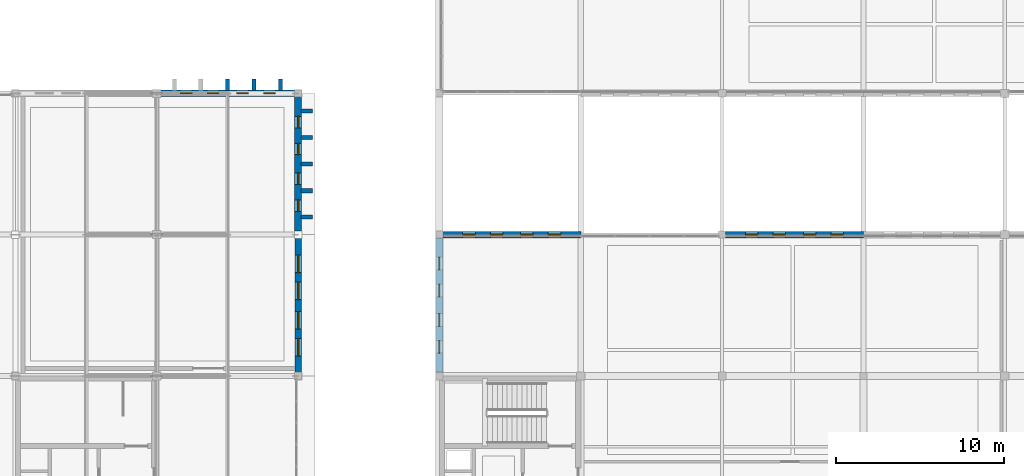
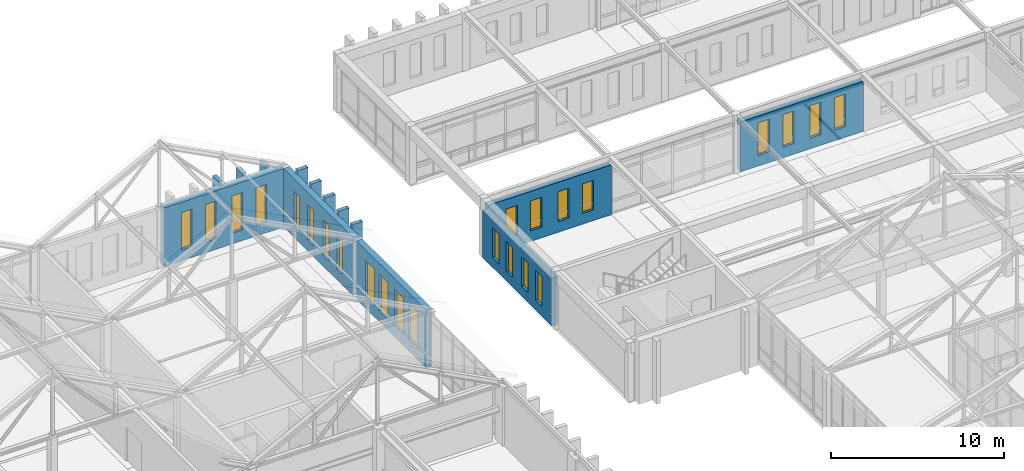
# One storey, part 167 of 192: 24 windows, 14 walls, 24 openings.
"""IFC4 building model written with IfcOpenShell, lengths in metres."""

import ifcopenshell
import ifcopenshell.guid

model = None  # the IFC model being written
_history = None  # IfcOwnerHistory: only IFC2X3 demands one
_inside = {}  # id of a spatial element -> (the spatial element, [elements in it])
_under = {}  # id of a project, library or spatial element -> (it, [spatial elements below it])
_declared = {}  # id of a project -> (the project, [libraries it declares])
_typed = {}  # id of a type object -> (the type object, [elements of that type])
_made_of = {}  # id of a material, layer set ... -> (it, [elements and type objects made of it])


def new_model(schema):
    """Start an empty IFC model of exactly this schema.

    Asked for "IFC4X3", IfcOpenShell would pick the latest addendum, in which some entities
    have other attributes; the version numbers below select the first issue.
    IFC2X3 requires an IfcOwnerHistory on every rooted entity: one is made here for all.
    """
    global model, _history
    if schema == "IFC4X3":
        model = ifcopenshell.file(schema_version=(4, 3, 0, 0))
    else:
        model = ifcopenshell.file(schema=schema)
    _inside.clear()
    _under.clear()
    _declared.clear()
    _typed.clear()
    _made_of.clear()
    _history = None
    if model.schema == "IFC2X3":
        org = make("IfcOrganization", Name="unknown")
        user = make(
            "IfcPersonAndOrganization",
            ThePerson=make("IfcPerson", FamilyName="unknown"),
            TheOrganization=org,
        )
        app = make(
            "IfcApplication",
            ApplicationDeveloper=org,
            Version="unknown",
            ApplicationFullName="unknown",
            ApplicationIdentifier="unknown",
        )
        _history = make(
            "IfcOwnerHistory",
            OwningUser=user,
            OwningApplication=app,
            ChangeAction="ADDED",
            CreationDate=0,
        )
    return model


def make(cls, **values):
    """One entity of the class cls with the attributes given. An attribute that is None is left unset."""
    return model.create_entity(
        cls, **{name: value for name, value in values.items() if value is not None}
    )


def rooted(cls, **values):
    """An entity with a GlobalId (a new one), such as an element, a storey or a relation."""
    return make(cls, GlobalId=ifcopenshell.guid.new(), OwnerHistory=_history, **values)


def si_unit(unit_type, name, prefix=None):
    """IfcSIUnit, for example si_unit("LENGTHUNIT", "METRE", prefix="MILLI")."""
    return make("IfcSIUnit", UnitType=unit_type, Prefix=prefix, Name=name)


def assignment(units):
    """IfcUnitAssignment: the units of a project."""
    return None if units is None else make("IfcUnitAssignment", Units=units)


def point(xyz):
    """IfcCartesianPoint."""
    return None if xyz is None else make("IfcCartesianPoint", Coordinates=xyz)


def direction(xyz):
    """IfcDirection."""
    return None if xyz is None else make("IfcDirection", DirectionRatios=xyz)


def frame(location, z_axis=None, x_axis=None):
    """IfcAxis2Placement3D, a coordinate frame: its origin and axes. An axis left out is left unset."""
    return make(
        "IfcAxis2Placement3D",
        Location=point(location),
        Axis=direction(z_axis),
        RefDirection=direction(x_axis),
    )


def frame_2d(location, x_axis=None):
    """IfcAxis2Placement2D, a coordinate frame in the plane: its origin and x axis."""
    return make(
        "IfcAxis2Placement2D", Location=point(location), RefDirection=direction(x_axis)
    )


def origin():
    """The frame at (0, 0, 0) with its axes left unset."""
    return frame((0.0, 0.0, 0.0))


def place(relative_to, where):
    """IfcLocalPlacement: puts the frame where relative to a parent placement (None: the world)."""
    return make(
        "IfcLocalPlacement", PlacementRelTo=relative_to, RelativePlacement=where
    )


def context(
    kind, dimensions, precision=None, world=None, true_north=None, identifier=None
):
    """IfcGeometricRepresentationContext, for example the 3D "Model" context."""
    return make(
        "IfcGeometricRepresentationContext",
        ContextIdentifier=identifier,
        ContextType=kind,
        CoordinateSpaceDimension=dimensions,
        Precision=precision,
        WorldCoordinateSystem=world,
        TrueNorth=true_north,
    )


def subcontext(parent, identifier, kind, view, scale=None):
    """IfcGeometricRepresentationSubContext, for example "Body" below "Model"."""
    return make(
        "IfcGeometricRepresentationSubContext",
        ContextIdentifier=identifier,
        ContextType=kind,
        ParentContext=parent,
        TargetScale=scale,
        TargetView=view,
    )


def project(units=None, contexts=None):
    """IfcProject with its units and contexts."""
    return rooted(
        "IfcProject",
        Name="project",
        RepresentationContexts=contexts,
        UnitsInContext=assignment(units),
    )


def spatial(cls, under=None, at=None, **own):
    """A site, building, storey or space (cls), placed at a placement, below another one or the project."""
    s = rooted(cls, ObjectPlacement=at, **own)
    if under is not None:
        _under.setdefault(under.id(), (under, []))[1].append(s)
    return s


def profile(cls, at=None, kind="AREA", **sizes):
    """A parametric profile (cls). Its sizes go by their IFC names, for example OverallWidth=200.0."""
    return make(cls, ProfileType=kind, Position=at, **sizes)


def rectangle(**sizes):
    """IfcRectangleProfileDef."""
    return profile("IfcRectangleProfileDef", **sizes)


def extrude(swept, where, along, depth):
    """IfcExtrudedAreaSolid: the profile swept, set in the frame where, extruded along a direction by depth."""
    return make(
        "IfcExtrudedAreaSolid",
        SweptArea=swept,
        Position=where,
        ExtrudedDirection=direction(along),
        Depth=depth,
    )


def shape(context_of_items, identifier, shape_type, items):
    """IfcShapeRepresentation: the items that make up one representation, for example the "Body"."""
    return make(
        "IfcShapeRepresentation",
        ContextOfItems=context_of_items,
        RepresentationIdentifier=identifier,
        RepresentationType=shape_type,
        Items=items,
    )


def material(Name=None, Category=None):
    """IfcMaterial."""
    return make("IfcMaterial", Name=Name, Category=Category)


def layer(
    of_material, thickness, ventilated=None, Name=None, Category=None, Priority=None
):
    """IfcMaterialLayer: one layer of a wall or slab, of a material (None: an air gap)."""
    return make(
        "IfcMaterialLayer",
        Material=of_material,
        LayerThickness=thickness,
        IsVentilated=ventilated,
        Name=Name,
        Category=Category,
        Priority=Priority,
    )


def layer_set(layers, Name=None):
    """IfcMaterialLayerSet."""
    return make("IfcMaterialLayerSet", MaterialLayers=layers, LayerSetName=Name)


def made_of(thing, what):
    """Note that an element or type object is made of a material, layer set ...; save() writes the relation."""
    if what is not None:
        _made_of.setdefault(what.id(), (what, []))[1].append(thing)
    return thing


def type_object(cls, material=None, **own):
    """A type object (cls), such as IfcWallType, which elements share."""
    return made_of(rooted(cls, **own), material)


def element(
    cls,
    number,
    at=None,
    inside=None,
    cuts=None,
    type_object=None,
    material=None,
    context=None,
    identifier="Body",
    shape_type=None,
    held_by="IfcProductDefinitionShape",
    body=None,
    shapes=None,
    **own,
):
    """One element of the class cls, such as IfcWall. Its Tag is "e" and its number.

    at: its placement. inside: the storey or other place that contains it. cuts: it is an
    opening in that element (IfcRelVoidsElement). A single representation is given by context,
    identifier, shape_type and body (its items); several are given by shapes. held_by: the class
    of the entity that holds the representations. save() writes the other relations.
    """
    e = rooted(cls, Tag="e%d" % number, ObjectPlacement=at, **own)
    if body is not None:
        shapes = [shape(context, identifier, shape_type, body)]
    if shapes is not None:
        e.Representation = make(held_by, Representations=shapes)
    if inside is not None:
        _inside.setdefault(inside.id(), (inside, []))[1].append(e)
    if cuts is not None:
        rooted(
            "IfcRelVoidsElement", RelatingBuildingElement=cuts, RelatedOpeningElement=e
        )
    if type_object is not None:
        _typed.setdefault(type_object.id(), (type_object, []))[1].append(e)
    return made_of(e, material)


def fill(opening, filler):
    """IfcRelFillsElement: the door or window that sits in an opening."""
    return rooted(
        "IfcRelFillsElement",
        RelatingOpeningElement=opening,
        RelatedBuildingElement=filler,
    )


def aggregate(whole, parts):
    """IfcRelAggregates: a whole, such as a stair, and the parts it consists of."""
    return rooted("IfcRelAggregates", RelatingObject=whole, RelatedObjects=parts)


def save(model, path):
    """Write the relations noted so far, then the file.

    IfcRelAggregates (storeys below a building ...), IfcRelContainedInSpatialStructure (elements
    in a storey), IfcRelDefinesByType, IfcRelAssociatesMaterial and IfcRelDeclares: one each for
    every whole, place, type object, material and project.
    """
    for whole, parts in _under.values():
        aggregate(whole, parts)
    for where, things in _inside.values():
        rooted(
            "IfcRelContainedInSpatialStructure",
            RelatedElements=things,
            RelatingStructure=where,
        )
    for kind, things in _typed.values():
        rooted("IfcRelDefinesByType", RelatedObjects=things, RelatingType=kind)
    for what, things in _made_of.values():
        rooted("IfcRelAssociatesMaterial", RelatedObjects=things, RelatingMaterial=what)
    for by, libraries in _declared.values():
        rooted("IfcRelDeclares", RelatingContext=by, RelatedDefinitions=libraries)
    model.write(path)


model = new_model("IFC4")

# Units and contexts
model_context = context("Model", 3, precision=1e-05, world=origin(), true_north=direction((0.0, 1.0)))
body_context = subcontext(model_context, "Body", "Model", "MODEL_VIEW")
ifc_project = project(units=[si_unit("LENGTHUNIT", "METRE"), si_unit("AREAUNIT", "SQUARE_METRE"), si_unit("VOLUMEUNIT", "CUBIC_METRE"), si_unit("PLANEANGLEUNIT", "RADIAN"), si_unit("MASSUNIT", "GRAM", prefix="KILO")], contexts=[model_context])

# Site, building, storey
site_placement = place(None, origin())
site = spatial("IfcSite", under=ifc_project, at=site_placement, CompositionType="ELEMENT")
building_placement = place(site_placement, origin())
building = spatial("IfcBuilding", under=site, at=building_placement, Name="Kveldsbrygga Polytechnic", CompositionType="ELEMENT")
storey_placement = place(building_placement, frame((0.0, 0.0, 5.43994140625)))
storey = spatial("IfcBuildingStorey", under=building, at=storey_placement, Name="L01", CompositionType="ELEMENT", Elevation=5.43994140625)

# Wall, openings, windows
ifc_material_1 = material(Name="Fired clay brick masonry M10", Category="masonry")
ifc_layer_1 = layer(ifc_material_1, 0.3798828125)
ifc_layer_set_1 = layer_set([ifc_layer_1], Name="Fired clay brick masonry M10")
wall_type_1 = type_object("IfcWallType", Name="EW-BRICK-380", PredefinedType="SOLIDWALL", material=ifc_layer_set_1)
wall_1_placement = place(storey_placement, frame((33.60009765625, 92.5849609375, 0.0), z_axis=(0.0, 0.0, 1.0), x_axis=(0.0, 1.0, 0.0)))
wall_1 = element("IfcWall", 1, at=wall_1_placement, inside=storey, type_object=wall_type_1, Name="Exterior Brick Wall EW-L01-Y-04-11", PredefinedType="SOLIDWALL", context=body_context, shape_type="SweptSolid", body=[
    extrude(rectangle(XDim=8.005126953125, YDim=0.3798828125, at=frame_2d((4.00244140625, 0.0))), origin(), (0.0, 0.0, 1.0), 4.1201171875),
])
opening_1_placement = place(wall_1_placement, frame((1.0009765625, 0.0, 0.75)))
opening_1 = element("IfcOpeningElement", 2, at=opening_1_placement, cuts=wall_1, Name="Opening W-36", PredefinedType="OPENING", context=body_context, shape_type="SweptSolid", body=[
    extrude(rectangle(XDim=1.0400390625, YDim=2.60009765625, at=frame_2d((0.52001953125, 1.300048828125))), frame((0.0, 0.199951171875, 0.0), z_axis=(0.0, -1.0, 0.0), x_axis=(1.0, 0.0, 0.0)), (0.0, 0.0, 1.0), 0.39990234375),
])
opening_2_placement = place(wall_1_placement, frame((2.60205078125, 0.0, 0.75)))
opening_2 = element("IfcOpeningElement", 3, at=opening_2_placement, cuts=wall_1, Name="Opening W-36", PredefinedType="OPENING", context=body_context, shape_type="SweptSolid", body=[
    extrude(rectangle(XDim=1.0400390625, YDim=2.60009765625, at=frame_2d((0.52001953125, 1.300048828125))), frame((0.0, 0.199951171875, 0.0), z_axis=(0.0, -1.0, 0.0), x_axis=(1.0, 0.0, 0.0)), (0.0, 0.0, 1.0), 0.39990234375),
])
opening_3_placement = place(wall_1_placement, frame((4.363037109375, 0.0, 0.75)))
opening_3 = element("IfcOpeningElement", 4, at=opening_3_placement, cuts=wall_1, Name="Opening W-36", PredefinedType="OPENING", context=body_context, shape_type="SweptSolid", body=[
    extrude(rectangle(XDim=1.0400390625, YDim=2.60009765625, at=frame_2d((0.52001953125, 1.300048828125))), frame((0.0, 0.199951171875, 0.0), z_axis=(0.0, -1.0, 0.0), x_axis=(1.0, 0.0, 0.0)), (0.0, 0.0, 1.0), 0.39990234375),
])
opening_4_placement = place(wall_1_placement, frame((5.964111328125, 0.0, 0.75)))
opening_4 = element("IfcOpeningElement", 5, at=opening_4_placement, cuts=wall_1, Name="Opening W-36", PredefinedType="OPENING", context=body_context, shape_type="SweptSolid", body=[
    extrude(rectangle(XDim=1.0400390625, YDim=2.60009765625, at=frame_2d((0.52001953125, 1.300048828125))), frame((0.0, 0.199951171875, 0.0), z_axis=(0.0, -1.0, 0.0), x_axis=(1.0, 0.0, 0.0)), (0.0, 0.0, 1.0), 0.39990234375),
])
ifc_material_2 = material(Name="Insulated triple low-E glass", Category="glass")
window_type_1 = type_object("IfcWindowType", Name="WN-LANC-104x260", PartitioningType="DOUBLE_PANEL_VERTICAL", PredefinedType="WINDOW", material=ifc_material_2)
window_1_placement = place(opening_1_placement, origin())
window_1 = element("IfcWindow", 6, at=window_1_placement, inside=storey, type_object=window_type_1, Name="Gothic Lancet Window WIN-L01-Y-04-11-1", OverallHeight=2.60009765625, OverallWidth=1.0400390625, PartitioningType="DOUBLE_PANEL_VERTICAL", PredefinedType="WINDOW", context=body_context, shape_type="SweptSolid", body=[
    extrude(rectangle(XDim=1.0400390625, YDim=2.60009765625, at=frame_2d((0.52001953125, 1.300048828125))), frame((0.0, 0.030029296875, 0.0), z_axis=(0.0, -1.0, 0.0), x_axis=(1.0, 0.0, 0.0)), (0.0, 0.0, 1.0), 0.06005859375),
])
fill(opening_1, window_1)
window_2_placement = place(opening_2_placement, origin())
window_2 = element("IfcWindow", 7, at=window_2_placement, inside=storey, type_object=window_type_1, Name="Gothic Lancet Window WIN-L01-Y-04-11-2", OverallHeight=2.60009765625, OverallWidth=1.0400390625, PartitioningType="DOUBLE_PANEL_VERTICAL", PredefinedType="WINDOW", context=body_context, shape_type="SweptSolid", body=[
    extrude(rectangle(XDim=1.0400390625, YDim=2.60009765625, at=frame_2d((0.52001953125, 1.300048828125))), frame((0.0, 0.030029296875, 0.0), z_axis=(0.0, -1.0, 0.0), x_axis=(1.0, 0.0, 0.0)), (0.0, 0.0, 1.0), 0.06005859375),
])
fill(opening_2, window_2)
window_3_placement = place(opening_3_placement, origin())
window_3 = element("IfcWindow", 8, at=window_3_placement, inside=storey, type_object=window_type_1, Name="Gothic Lancet Window WIN-L01-Y-04-11-3", OverallHeight=2.60009765625, OverallWidth=1.0400390625, PartitioningType="DOUBLE_PANEL_VERTICAL", PredefinedType="WINDOW", context=body_context, shape_type="SweptSolid", body=[
    extrude(rectangle(XDim=1.0400390625, YDim=2.60009765625, at=frame_2d((0.52001953125, 1.300048828125))), frame((0.0, 0.030029296875, 0.0), z_axis=(0.0, -1.0, 0.0), x_axis=(1.0, 0.0, 0.0)), (0.0, 0.0, 1.0), 0.06005859375),
])
fill(opening_3, window_3)
window_4_placement = place(opening_4_placement, origin())
window_4 = element("IfcWindow", 9, at=window_4_placement, inside=storey, type_object=window_type_1, Name="Gothic Lancet Window WIN-L01-Y-04-11-4", OverallHeight=2.60009765625, OverallWidth=1.0400390625, PartitioningType="DOUBLE_PANEL_VERTICAL", PredefinedType="WINDOW", context=body_context, shape_type="SweptSolid", body=[
    extrude(rectangle(XDim=1.0400390625, YDim=2.60009765625, at=frame_2d((0.52001953125, 1.300048828125))), frame((0.0, 0.030029296875, 0.0), z_axis=(0.0, -1.0, 0.0), x_axis=(1.0, 0.0, 0.0)), (0.0, 0.0, 1.0), 0.06005859375),
])
fill(opening_4, window_4)

wall_2_placement = place(storey_placement, frame((42.195068359375, 100.800048828125, 0.0), z_axis=(0.0, 0.0, 1.0), x_axis=(1.0, 0.0, 0.0)))
wall_2 = element("IfcWall", 10, at=wall_2_placement, inside=storey, type_object=wall_type_1, Name="Exterior Brick Wall EW-L01-X-05-12", PredefinedType="SOLIDWALL", context=body_context, shape_type="SweptSolid", body=[
    extrude(rectangle(XDim=8.204833984375, YDim=0.3798828125, at=frame_2d((4.1025390625, 0.0))), origin(), (0.0, 0.0, 1.0), 3.52001953125),
])
opening_5_placement = place(wall_2_placement, frame((1.183837890625, 0.0, 0.75)))
opening_5 = element("IfcOpeningElement", 11, at=opening_5_placement, cuts=wall_2, Name="Opening W-27", PredefinedType="OPENING", context=body_context, shape_type="SweptSolid", body=[
    extrude(rectangle(XDim=0.75, YDim=2.10009765625, at=frame_2d((0.375, 1.050048828125))), frame((0.0, 0.199951171875, 0.0), z_axis=(0.0, -1.0, 0.0), x_axis=(1.0, 0.0, 0.0)), (0.0, 0.0, 1.0), 0.39990234375),
])
opening_6_placement = place(wall_2_placement, frame((2.824951171875, 0.0, 0.75)))
opening_6 = element("IfcOpeningElement", 12, at=opening_6_placement, cuts=wall_2, Name="Opening W-27", PredefinedType="OPENING", context=body_context, shape_type="SweptSolid", body=[
    extrude(rectangle(XDim=0.75, YDim=2.10009765625, at=frame_2d((0.375, 1.050048828125))), frame((0.0, 0.199951171875, 0.0), z_axis=(0.0, -1.0, 0.0), x_axis=(1.0, 0.0, 0.0)), (0.0, 0.0, 1.0), 0.39990234375),
])
opening_7_placement = place(wall_2_placement, frame((4.630126953125, 0.0, 0.75)))
opening_7 = element("IfcOpeningElement", 13, at=opening_7_placement, cuts=wall_2, Name="Opening W-27", PredefinedType="OPENING", context=body_context, shape_type="SweptSolid", body=[
    extrude(rectangle(XDim=0.75, YDim=2.10009765625, at=frame_2d((0.375, 1.050048828125))), frame((0.0, 0.199951171875, 0.0), z_axis=(0.0, -1.0, 0.0), x_axis=(1.0, 0.0, 0.0)), (0.0, 0.0, 1.0), 0.39990234375),
])
opening_8_placement = place(wall_2_placement, frame((6.27099609375, 0.0, 0.75)))
opening_8 = element("IfcOpeningElement", 14, at=opening_8_placement, cuts=wall_2, Name="Opening W-27", PredefinedType="OPENING", context=body_context, shape_type="SweptSolid", body=[
    extrude(rectangle(XDim=0.75, YDim=2.10009765625, at=frame_2d((0.375, 1.050048828125))), frame((0.0, 0.199951171875, 0.0), z_axis=(0.0, -1.0, 0.0), x_axis=(1.0, 0.0, 0.0)), (0.0, 0.0, 1.0), 0.39990234375),
])
window_type_2 = type_object("IfcWindowType", Name="WN-ATTIC-075x210", PartitioningType="DOUBLE_PANEL_VERTICAL", PredefinedType="WINDOW", material=ifc_material_2)
window_5_placement = place(opening_5_placement, origin())
window_5 = element("IfcWindow", 15, at=window_5_placement, inside=storey, type_object=window_type_2, Name="Gothic Lancet Window WIN-L01-X-05-12-1", OverallHeight=2.10009765625, OverallWidth=0.75, PartitioningType="DOUBLE_PANEL_VERTICAL", PredefinedType="WINDOW", context=body_context, shape_type="SweptSolid", body=[
    extrude(rectangle(XDim=0.75, YDim=2.10009765625, at=frame_2d((0.375, 1.050048828125))), frame((0.0, 0.030029296875, 0.0), z_axis=(0.0, -1.0, 0.0), x_axis=(1.0, 0.0, 0.0)), (0.0, 0.0, 1.0), 0.06005859375),
])
fill(opening_5, window_5)
window_6_placement = place(opening_6_placement, origin())
window_6 = element("IfcWindow", 16, at=window_6_placement, inside=storey, type_object=window_type_2, Name="Gothic Lancet Window WIN-L01-X-05-12-2", OverallHeight=2.10009765625, OverallWidth=0.75, PartitioningType="DOUBLE_PANEL_VERTICAL", PredefinedType="WINDOW", context=body_context, shape_type="SweptSolid", body=[
    extrude(rectangle(XDim=0.75, YDim=2.10009765625, at=frame_2d((0.375, 1.050048828125))), frame((0.0, 0.030029296875, 0.0), z_axis=(0.0, -1.0, 0.0), x_axis=(1.0, 0.0, 0.0)), (0.0, 0.0, 1.0), 0.06005859375),
])
fill(opening_6, window_6)
window_7_placement = place(opening_7_placement, origin())
window_7 = element("IfcWindow", 17, at=window_7_placement, inside=storey, type_object=window_type_2, Name="Gothic Lancet Window WIN-L01-X-05-12-3", OverallHeight=2.10009765625, OverallWidth=0.75, PartitioningType="DOUBLE_PANEL_VERTICAL", PredefinedType="WINDOW", context=body_context, shape_type="SweptSolid", body=[
    extrude(rectangle(XDim=0.75, YDim=2.10009765625, at=frame_2d((0.375, 1.050048828125))), frame((0.0, 0.030029296875, 0.0), z_axis=(0.0, -1.0, 0.0), x_axis=(1.0, 0.0, 0.0)), (0.0, 0.0, 1.0), 0.06005859375),
])
fill(opening_7, window_7)
window_8_placement = place(opening_8_placement, origin())
window_8 = element("IfcWindow", 18, at=window_8_placement, inside=storey, type_object=window_type_2, Name="Gothic Lancet Window WIN-L01-X-05-12-4", OverallHeight=2.10009765625, OverallWidth=0.75, PartitioningType="DOUBLE_PANEL_VERTICAL", PredefinedType="WINDOW", context=body_context, shape_type="SweptSolid", body=[
    extrude(rectangle(XDim=0.75, YDim=2.10009765625, at=frame_2d((0.375, 1.050048828125))), frame((0.0, 0.030029296875, 0.0), z_axis=(0.0, -1.0, 0.0), x_axis=(1.0, 0.0, 0.0)), (0.0, 0.0, 1.0), 0.06005859375),
])
fill(opening_8, window_8)

wall_3_placement = place(storey_placement, frame((58.9951171875, 100.800048828125, 0.0), z_axis=(0.0, 0.0, 1.0), x_axis=(1.0, 0.0, 0.0)))
wall_3 = element("IfcWall", 19, at=wall_3_placement, inside=storey, type_object=wall_type_1, Name="Exterior Brick Wall EW-L01-X-07-12", PredefinedType="SOLIDWALL", context=body_context, shape_type="SweptSolid", body=[
    extrude(rectangle(XDim=8.204833984375, YDim=0.3798828125, at=frame_2d((4.1025390625, 0.0))), origin(), (0.0, 0.0, 1.0), 3.52001953125),
])
opening_9_placement = place(wall_3_placement, frame((1.18896484375, 0.0, 0.75)))
opening_9 = element("IfcOpeningElement", 20, at=opening_9_placement, cuts=wall_3, Name="Opening W-04", PredefinedType="OPENING", context=body_context, shape_type="SweptSolid", body=[
    extrude(rectangle(XDim=0.739990234375, YDim=2.300048828125, at=frame_2d((0.3701171875, 1.14990234375))), frame((0.0, 0.199951171875, 0.0), z_axis=(0.0, -1.0, 0.0), x_axis=(1.0, 0.0, 0.0)), (0.0, 0.0, 1.0), 0.39990234375),
])
opening_10_placement = place(wall_3_placement, frame((2.829833984375, 0.0, 0.75)))
opening_10 = element("IfcOpeningElement", 21, at=opening_10_placement, cuts=wall_3, Name="Opening W-04", PredefinedType="OPENING", context=body_context, shape_type="SweptSolid", body=[
    extrude(rectangle(XDim=0.739990234375, YDim=2.300048828125, at=frame_2d((0.3701171875, 1.14990234375))), frame((0.0, 0.199951171875, 0.0), z_axis=(0.0, -1.0, 0.0), x_axis=(1.0, 0.0, 0.0)), (0.0, 0.0, 1.0), 0.39990234375),
])
opening_11_placement = place(wall_3_placement, frame((4.635009765625, 0.0, 0.75)))
opening_11 = element("IfcOpeningElement", 22, at=opening_11_placement, cuts=wall_3, Name="Opening W-04", PredefinedType="OPENING", context=body_context, shape_type="SweptSolid", body=[
    extrude(rectangle(XDim=0.739990234375, YDim=2.300048828125, at=frame_2d((0.3701171875, 1.14990234375))), frame((0.0, 0.199951171875, 0.0), z_axis=(0.0, -1.0, 0.0), x_axis=(1.0, 0.0, 0.0)), (0.0, 0.0, 1.0), 0.39990234375),
])
opening_12_placement = place(wall_3_placement, frame((6.276123046875, 0.0, 0.75)))
opening_12 = element("IfcOpeningElement", 23, at=opening_12_placement, cuts=wall_3, Name="Opening W-04", PredefinedType="OPENING", context=body_context, shape_type="SweptSolid", body=[
    extrude(rectangle(XDim=0.739990234375, YDim=2.300048828125, at=frame_2d((0.3701171875, 1.14990234375))), frame((0.0, 0.199951171875, 0.0), z_axis=(0.0, -1.0, 0.0), x_axis=(1.0, 0.0, 0.0)), (0.0, 0.0, 1.0), 0.39990234375),
])
window_type_3 = type_object("IfcWindowType", Name="WN-LANC-074x230", PartitioningType="DOUBLE_PANEL_VERTICAL", PredefinedType="WINDOW", material=ifc_material_2)
window_9_placement = place(opening_9_placement, origin())
window_9 = element("IfcWindow", 24, at=window_9_placement, inside=storey, type_object=window_type_3, Name="Gothic Lancet Window WIN-L01-X-07-12-1", OverallHeight=2.300048828125, OverallWidth=0.739990234375, PartitioningType="DOUBLE_PANEL_VERTICAL", PredefinedType="WINDOW", context=body_context, shape_type="SweptSolid", body=[
    extrude(rectangle(XDim=0.739990234375, YDim=2.300048828125, at=frame_2d((0.3701171875, 1.14990234375))), frame((0.0, 0.030029296875, 0.0), z_axis=(0.0, -1.0, 0.0), x_axis=(1.0, 0.0, 0.0)), (0.0, 0.0, 1.0), 0.06005859375),
])
fill(opening_9, window_9)
window_10_placement = place(opening_10_placement, origin())
window_10 = element("IfcWindow", 25, at=window_10_placement, inside=storey, type_object=window_type_3, Name="Gothic Lancet Window WIN-L01-X-07-12-2", OverallHeight=2.300048828125, OverallWidth=0.739990234375, PartitioningType="DOUBLE_PANEL_VERTICAL", PredefinedType="WINDOW", context=body_context, shape_type="SweptSolid", body=[
    extrude(rectangle(XDim=0.739990234375, YDim=2.300048828125, at=frame_2d((0.3701171875, 1.14990234375))), frame((0.0, 0.030029296875, 0.0), z_axis=(0.0, -1.0, 0.0), x_axis=(1.0, 0.0, 0.0)), (0.0, 0.0, 1.0), 0.06005859375),
])
fill(opening_10, window_10)
window_11_placement = place(opening_11_placement, origin())
window_11 = element("IfcWindow", 26, at=window_11_placement, inside=storey, type_object=window_type_3, Name="Gothic Lancet Window WIN-L01-X-07-12-3", OverallHeight=2.300048828125, OverallWidth=0.739990234375, PartitioningType="DOUBLE_PANEL_VERTICAL", PredefinedType="WINDOW", context=body_context, shape_type="SweptSolid", body=[
    extrude(rectangle(XDim=0.739990234375, YDim=2.300048828125, at=frame_2d((0.3701171875, 1.14990234375))), frame((0.0, 0.030029296875, 0.0), z_axis=(0.0, -1.0, 0.0), x_axis=(1.0, 0.0, 0.0)), (0.0, 0.0, 1.0), 0.06005859375),
])
fill(opening_11, window_11)
window_12_placement = place(opening_12_placement, origin())
window_12 = element("IfcWindow", 27, at=window_12_placement, inside=storey, type_object=window_type_3, Name="Gothic Lancet Window WIN-L01-X-07-12-4", OverallHeight=2.300048828125, OverallWidth=0.739990234375, PartitioningType="DOUBLE_PANEL_VERTICAL", PredefinedType="WINDOW", context=body_context, shape_type="SweptSolid", body=[
    extrude(rectangle(XDim=0.739990234375, YDim=2.300048828125, at=frame_2d((0.3701171875, 1.14990234375))), frame((0.0, 0.030029296875, 0.0), z_axis=(0.0, -1.0, 0.0), x_axis=(1.0, 0.0, 0.0)), (0.0, 0.0, 1.0), 0.06005859375),
])
fill(opening_12, window_12)

ifc_layer_2 = layer(ifc_material_1, 0.39990234375)
ifc_layer_set_2 = layer_set([ifc_layer_2], Name="Fired clay brick masonry M10")
wall_type_2 = type_object("IfcWallType", Name="EW-BRICK-400", PredefinedType="SOLIDWALL", material=ifc_layer_set_2)
wall_4_placement = place(storey_placement, frame((25.425048828125, 109.199951171875, 0.0), z_axis=(0.0, 0.0, 1.0), x_axis=(1.0, 0.0, 0.0)))
wall_4 = element("IfcWall", 28, at=wall_4_placement, inside=storey, type_object=wall_type_2, Name="Exterior Brick Wall EW-L01-X-03-13", PredefinedType="SOLIDWALL", context=body_context, shape_type="SweptSolid", body=[
    extrude(rectangle(XDim=7.989990234375, YDim=0.39990234375, at=frame_2d((3.9951171875, 0.0))), origin(), (0.0, 0.0, 1.0), 4.1201171875),
])
opening_13_placement = place(wall_4_placement, frame((1.168212890625, 0.0, 0.75)))
opening_13 = element("IfcOpeningElement", 29, at=opening_13_placement, cuts=wall_4, Name="Opening W-43", PredefinedType="OPENING", context=body_context, shape_type="SweptSolid", body=[
    extrude(rectangle(XDim=0.699951171875, YDim=2.64990234375, at=frame_2d((0.35009765625, 1.324951171875))), frame((0.0, 0.2099609375, 0.0), z_axis=(0.0, -1.0, 0.0), x_axis=(1.0, 0.0, 0.0)), (0.0, 0.0, 1.0), 0.419921875),
])
opening_14_placement = place(wall_4_placement, frame((2.76611328125, 0.0, 0.75)))
opening_14 = element("IfcOpeningElement", 30, at=opening_14_placement, cuts=wall_4, Name="Opening W-43", PredefinedType="OPENING", context=body_context, shape_type="SweptSolid", body=[
    extrude(rectangle(XDim=0.699951171875, YDim=2.64990234375, at=frame_2d((0.35009765625, 1.324951171875))), frame((0.0, 0.2099609375, 0.0), z_axis=(0.0, -1.0, 0.0), x_axis=(1.0, 0.0, 0.0)), (0.0, 0.0, 1.0), 0.419921875),
])
opening_15_placement = place(wall_4_placement, frame((4.52392578125, 0.0, 0.75)))
opening_15 = element("IfcOpeningElement", 31, at=opening_15_placement, cuts=wall_4, Name="Opening W-43", PredefinedType="OPENING", context=body_context, shape_type="SweptSolid", body=[
    extrude(rectangle(XDim=0.699951171875, YDim=2.64990234375, at=frame_2d((0.35009765625, 1.324951171875))), frame((0.0, 0.2099609375, 0.0), z_axis=(0.0, -1.0, 0.0), x_axis=(1.0, 0.0, 0.0)), (0.0, 0.0, 1.0), 0.419921875),
])
opening_16_placement = place(wall_4_placement, frame((6.121826171875, 0.0, 0.75)))
opening_16 = element("IfcOpeningElement", 32, at=opening_16_placement, cuts=wall_4, Name="Opening W-43", PredefinedType="OPENING", context=body_context, shape_type="SweptSolid", body=[
    extrude(rectangle(XDim=0.699951171875, YDim=2.64990234375, at=frame_2d((0.35009765625, 1.324951171875))), frame((0.0, 0.2099609375, 0.0), z_axis=(0.0, -1.0, 0.0), x_axis=(1.0, 0.0, 0.0)), (0.0, 0.0, 1.0), 0.419921875),
])
window_type_4 = type_object("IfcWindowType", Name="WN-LANC-070x265", PartitioningType="DOUBLE_PANEL_VERTICAL", PredefinedType="WINDOW", material=ifc_material_2)
window_13_placement = place(opening_13_placement, origin())
window_13 = element("IfcWindow", 33, at=window_13_placement, inside=storey, type_object=window_type_4, Name="Gothic Lancet Window WIN-L01-X-03-13-1", OverallHeight=2.64990234375, OverallWidth=0.699951171875, PartitioningType="DOUBLE_PANEL_VERTICAL", PredefinedType="WINDOW", context=body_context, shape_type="SweptSolid", body=[
    extrude(rectangle(XDim=0.699951171875, YDim=2.64990234375, at=frame_2d((0.35009765625, 1.324951171875))), frame((0.0, 0.030029296875, 0.0), z_axis=(0.0, -1.0, 0.0), x_axis=(1.0, 0.0, 0.0)), (0.0, 0.0, 1.0), 0.06005859375),
])
fill(opening_13, window_13)
window_14_placement = place(opening_14_placement, origin())
window_14 = element("IfcWindow", 34, at=window_14_placement, inside=storey, type_object=window_type_4, Name="Gothic Lancet Window WIN-L01-X-03-13-2", OverallHeight=2.64990234375, OverallWidth=0.699951171875, PartitioningType="DOUBLE_PANEL_VERTICAL", PredefinedType="WINDOW", context=body_context, shape_type="SweptSolid", body=[
    extrude(rectangle(XDim=0.699951171875, YDim=2.64990234375, at=frame_2d((0.35009765625, 1.324951171875))), frame((0.0, 0.030029296875, 0.0), z_axis=(0.0, -1.0, 0.0), x_axis=(1.0, 0.0, 0.0)), (0.0, 0.0, 1.0), 0.06005859375),
])
fill(opening_14, window_14)
window_15_placement = place(opening_15_placement, origin())
window_15 = element("IfcWindow", 35, at=window_15_placement, inside=storey, type_object=window_type_4, Name="Gothic Lancet Window WIN-L01-X-03-13-3", OverallHeight=2.64990234375, OverallWidth=0.699951171875, PartitioningType="DOUBLE_PANEL_VERTICAL", PredefinedType="WINDOW", context=body_context, shape_type="SweptSolid", body=[
    extrude(rectangle(XDim=0.699951171875, YDim=2.64990234375, at=frame_2d((0.35009765625, 1.324951171875))), frame((0.0, 0.030029296875, 0.0), z_axis=(0.0, -1.0, 0.0), x_axis=(1.0, 0.0, 0.0)), (0.0, 0.0, 1.0), 0.06005859375),
])
fill(opening_15, window_15)
window_16_placement = place(opening_16_placement, origin())
window_16 = element("IfcWindow", 36, at=window_16_placement, inside=storey, type_object=window_type_4, Name="Gothic Lancet Window WIN-L01-X-03-13-4", OverallHeight=2.64990234375, OverallWidth=0.699951171875, PartitioningType="DOUBLE_PANEL_VERTICAL", PredefinedType="WINDOW", context=body_context, shape_type="SweptSolid", body=[
    extrude(rectangle(XDim=0.699951171875, YDim=2.64990234375, at=frame_2d((0.35009765625, 1.324951171875))), frame((0.0, 0.030029296875, 0.0), z_axis=(0.0, -1.0, 0.0), x_axis=(1.0, 0.0, 0.0)), (0.0, 0.0, 1.0), 0.06005859375),
])
fill(opening_16, window_16)

wall_5_placement = place(storey_placement, frame((33.60009765625, 101.010009765625, 0.0), z_axis=(0.0, 0.0, 1.0), x_axis=(0.0, 1.0, 0.0)))
wall_5 = element("IfcWall", 37, at=wall_5_placement, inside=storey, type_object=wall_type_2, Name="Exterior Brick Wall EW-L01-Y-04-12", PredefinedType="SOLIDWALL", context=body_context, shape_type="SweptSolid", body=[
    extrude(rectangle(XDim=8.0048828125, YDim=0.39990234375, at=frame_2d((4.00244140625, 0.0))), origin(), (0.0, 0.0, 1.0), 4.1201171875),
])
opening_17_placement = place(wall_5_placement, frame((1.180908203125, 0.0, 0.75)))
opening_17 = element("IfcOpeningElement", 38, at=opening_17_placement, cuts=wall_5, Name="Opening W-41", PredefinedType="OPENING", context=body_context, shape_type="SweptSolid", body=[
    extrude(rectangle(XDim=0.679931640625, YDim=2.5, at=frame_2d((0.33984375, 1.25))), frame((0.0, 0.2099609375, 0.0), z_axis=(0.0, -1.0, 0.0), x_axis=(1.0, 0.0, 0.0)), (0.0, 0.0, 1.0), 0.419921875),
])
opening_18_placement = place(wall_5_placement, frame((2.781982421875, 0.0, 0.75)))
opening_18 = element("IfcOpeningElement", 39, at=opening_18_placement, cuts=wall_5, Name="Opening W-41", PredefinedType="OPENING", context=body_context, shape_type="SweptSolid", body=[
    extrude(rectangle(XDim=0.679931640625, YDim=2.5, at=frame_2d((0.33984375, 1.25))), frame((0.0, 0.2099609375, 0.0), z_axis=(0.0, -1.0, 0.0), x_axis=(1.0, 0.0, 0.0)), (0.0, 0.0, 1.0), 0.419921875),
])
opening_19_placement = place(wall_5_placement, frame((4.54296875, 0.0, 0.75)))
opening_19 = element("IfcOpeningElement", 40, at=opening_19_placement, cuts=wall_5, Name="Opening W-41", PredefinedType="OPENING", context=body_context, shape_type="SweptSolid", body=[
    extrude(rectangle(XDim=0.679931640625, YDim=2.5, at=frame_2d((0.33984375, 1.25))), frame((0.0, 0.2099609375, 0.0), z_axis=(0.0, -1.0, 0.0), x_axis=(1.0, 0.0, 0.0)), (0.0, 0.0, 1.0), 0.419921875),
])
opening_20_placement = place(wall_5_placement, frame((6.14404296875, 0.0, 0.75)))
opening_20 = element("IfcOpeningElement", 41, at=opening_20_placement, cuts=wall_5, Name="Opening W-41", PredefinedType="OPENING", context=body_context, shape_type="SweptSolid", body=[
    extrude(rectangle(XDim=0.679931640625, YDim=2.5, at=frame_2d((0.33984375, 1.25))), frame((0.0, 0.2099609375, 0.0), z_axis=(0.0, -1.0, 0.0), x_axis=(1.0, 0.0, 0.0)), (0.0, 0.0, 1.0), 0.419921875),
])
window_type_5 = type_object("IfcWindowType", Name="WN-LANC-068x250", PartitioningType="DOUBLE_PANEL_VERTICAL", PredefinedType="WINDOW", material=ifc_material_2)
window_17_placement = place(opening_17_placement, origin())
window_17 = element("IfcWindow", 42, at=window_17_placement, inside=storey, type_object=window_type_5, Name="Gothic Lancet Window WIN-L01-Y-04-12-1", OverallHeight=2.5, OverallWidth=0.679931640625, PartitioningType="DOUBLE_PANEL_VERTICAL", PredefinedType="WINDOW", context=body_context, shape_type="SweptSolid", body=[
    extrude(rectangle(XDim=0.679931640625, YDim=2.5, at=frame_2d((0.33984375, 1.25))), frame((0.0, 0.030029296875, 0.0), z_axis=(0.0, -1.0, 0.0), x_axis=(1.0, 0.0, 0.0)), (0.0, 0.0, 1.0), 0.06005859375),
])
fill(opening_17, window_17)
window_18_placement = place(opening_18_placement, origin())
window_18 = element("IfcWindow", 43, at=window_18_placement, inside=storey, type_object=window_type_5, Name="Gothic Lancet Window WIN-L01-Y-04-12-2", OverallHeight=2.5, OverallWidth=0.679931640625, PartitioningType="DOUBLE_PANEL_VERTICAL", PredefinedType="WINDOW", context=body_context, shape_type="SweptSolid", body=[
    extrude(rectangle(XDim=0.679931640625, YDim=2.5, at=frame_2d((0.33984375, 1.25))), frame((0.0, 0.030029296875, 0.0), z_axis=(0.0, -1.0, 0.0), x_axis=(1.0, 0.0, 0.0)), (0.0, 0.0, 1.0), 0.06005859375),
])
fill(opening_18, window_18)
window_19_placement = place(opening_19_placement, origin())
window_19 = element("IfcWindow", 44, at=window_19_placement, inside=storey, type_object=window_type_5, Name="Gothic Lancet Window WIN-L01-Y-04-12-3", OverallHeight=2.5, OverallWidth=0.679931640625, PartitioningType="DOUBLE_PANEL_VERTICAL", PredefinedType="WINDOW", context=body_context, shape_type="SweptSolid", body=[
    extrude(rectangle(XDim=0.679931640625, YDim=2.5, at=frame_2d((0.33984375, 1.25))), frame((0.0, 0.030029296875, 0.0), z_axis=(0.0, -1.0, 0.0), x_axis=(1.0, 0.0, 0.0)), (0.0, 0.0, 1.0), 0.06005859375),
])
fill(opening_19, window_19)
window_20_placement = place(opening_20_placement, origin())
window_20 = element("IfcWindow", 45, at=window_20_placement, inside=storey, type_object=window_type_5, Name="Gothic Lancet Window WIN-L01-Y-04-12-4", OverallHeight=2.5, OverallWidth=0.679931640625, PartitioningType="DOUBLE_PANEL_VERTICAL", PredefinedType="WINDOW", context=body_context, shape_type="SweptSolid", body=[
    extrude(rectangle(XDim=0.679931640625, YDim=2.5, at=frame_2d((0.33984375, 1.25))), frame((0.0, 0.030029296875, 0.0), z_axis=(0.0, -1.0, 0.0), x_axis=(1.0, 0.0, 0.0)), (0.0, 0.0, 1.0), 0.06005859375),
])
fill(opening_20, window_20)

wall_6_placement = place(storey_placement, frame((42.0, 92.610107421875, 0.0), z_axis=(0.0, 0.0, 1.0), x_axis=(0.0, 1.0, 0.0)))
wall_6 = element("IfcWall", 46, at=wall_6_placement, inside=storey, type_object=wall_type_2, Name="Exterior Brick Wall EW-L01-Y-05-11", PredefinedType="SOLIDWALL", context=body_context, shape_type="SweptSolid", body=[
    extrude(rectangle(XDim=7.994873046875, YDim=0.39990234375, at=frame_2d((3.99755859375, 0.0))), origin(), (0.0, 0.0, 1.0), 3.3701171875),
])
opening_21_placement = place(wall_6_placement, frame((1.14404296875, 0.0, 0.699951171875)))
opening_21 = element("IfcOpeningElement", 47, at=opening_21_placement, cuts=wall_6, Name="Opening W-27", PredefinedType="OPENING", context=body_context, shape_type="SweptSolid", body=[
    extrude(rectangle(XDim=0.75, YDim=2.10009765625, at=frame_2d((0.375, 1.050048828125))), frame((0.0, 0.2099609375, 0.0), z_axis=(0.0, -1.0, 0.0), x_axis=(1.0, 0.0, 0.0)), (0.0, 0.0, 1.0), 0.419921875),
])
opening_22_placement = place(wall_6_placement, frame((2.7431640625, 0.0, 0.699951171875)))
opening_22 = element("IfcOpeningElement", 48, at=opening_22_placement, cuts=wall_6, Name="Opening W-27", PredefinedType="OPENING", context=body_context, shape_type="SweptSolid", body=[
    extrude(rectangle(XDim=0.75, YDim=2.10009765625, at=frame_2d((0.375, 1.050048828125))), frame((0.0, 0.2099609375, 0.0), z_axis=(0.0, -1.0, 0.0), x_axis=(1.0, 0.0, 0.0)), (0.0, 0.0, 1.0), 0.419921875),
])
opening_23_placement = place(wall_6_placement, frame((4.501953125, 0.0, 0.699951171875)))
opening_23 = element("IfcOpeningElement", 49, at=opening_23_placement, cuts=wall_6, Name="Opening W-27", PredefinedType="OPENING", context=body_context, shape_type="SweptSolid", body=[
    extrude(rectangle(XDim=0.75, YDim=2.10009765625, at=frame_2d((0.375, 1.050048828125))), frame((0.0, 0.2099609375, 0.0), z_axis=(0.0, -1.0, 0.0), x_axis=(1.0, 0.0, 0.0)), (0.0, 0.0, 1.0), 0.419921875),
])
opening_24_placement = place(wall_6_placement, frame((6.100830078125, 0.0, 0.699951171875)))
opening_24 = element("IfcOpeningElement", 50, at=opening_24_placement, cuts=wall_6, Name="Opening W-27", PredefinedType="OPENING", context=body_context, shape_type="SweptSolid", body=[
    extrude(rectangle(XDim=0.75, YDim=2.10009765625, at=frame_2d((0.375, 1.050048828125))), frame((0.0, 0.2099609375, 0.0), z_axis=(0.0, -1.0, 0.0), x_axis=(1.0, 0.0, 0.0)), (0.0, 0.0, 1.0), 0.419921875),
])
window_21_placement = place(opening_21_placement, origin())
window_21 = element("IfcWindow", 51, at=window_21_placement, inside=storey, type_object=window_type_2, Name="Gothic Lancet Window WIN-L01-Y-05-11-1", OverallHeight=2.10009765625, OverallWidth=0.75, PartitioningType="DOUBLE_PANEL_VERTICAL", PredefinedType="WINDOW", context=body_context, shape_type="SweptSolid", body=[
    extrude(rectangle(XDim=0.75, YDim=2.10009765625, at=frame_2d((0.375, 1.050048828125))), frame((0.0, 0.030029296875, 0.0), z_axis=(0.0, -1.0, 0.0), x_axis=(1.0, 0.0, 0.0)), (0.0, 0.0, 1.0), 0.06005859375),
])
fill(opening_21, window_21)
window_22_placement = place(opening_22_placement, origin())
window_22 = element("IfcWindow", 52, at=window_22_placement, inside=storey, type_object=window_type_2, Name="Gothic Lancet Window WIN-L01-Y-05-11-2", OverallHeight=2.10009765625, OverallWidth=0.75, PartitioningType="DOUBLE_PANEL_VERTICAL", PredefinedType="WINDOW", context=body_context, shape_type="SweptSolid", body=[
    extrude(rectangle(XDim=0.75, YDim=2.10009765625, at=frame_2d((0.375, 1.050048828125))), frame((0.0, 0.030029296875, 0.0), z_axis=(0.0, -1.0, 0.0), x_axis=(1.0, 0.0, 0.0)), (0.0, 0.0, 1.0), 0.06005859375),
])
fill(opening_22, window_22)
window_23_placement = place(opening_23_placement, origin())
window_23 = element("IfcWindow", 53, at=window_23_placement, inside=storey, type_object=window_type_2, Name="Gothic Lancet Window WIN-L01-Y-05-11-3", OverallHeight=2.10009765625, OverallWidth=0.75, PartitioningType="DOUBLE_PANEL_VERTICAL", PredefinedType="WINDOW", context=body_context, shape_type="SweptSolid", body=[
    extrude(rectangle(XDim=0.75, YDim=2.10009765625, at=frame_2d((0.375, 1.050048828125))), frame((0.0, 0.030029296875, 0.0), z_axis=(0.0, -1.0, 0.0), x_axis=(1.0, 0.0, 0.0)), (0.0, 0.0, 1.0), 0.06005859375),
])
fill(opening_23, window_23)
window_24_placement = place(opening_24_placement, origin())
window_24 = element("IfcWindow", 54, at=window_24_placement, inside=storey, type_object=window_type_2, Name="Gothic Lancet Window WIN-L01-Y-05-11-4", OverallHeight=2.10009765625, OverallWidth=0.75, PartitioningType="DOUBLE_PANEL_VERTICAL", PredefinedType="WINDOW", context=body_context, shape_type="SweptSolid", body=[
    extrude(rectangle(XDim=0.75, YDim=2.10009765625, at=frame_2d((0.375, 1.050048828125))), frame((0.0, 0.030029296875, 0.0), z_axis=(0.0, -1.0, 0.0), x_axis=(1.0, 0.0, 0.0)), (0.0, 0.0, 1.0), 0.06005859375),
])
fill(opening_24, window_24)

# Walls
ifc_layer_3 = layer(ifc_material_1, 0.260009765625)
ifc_layer_set_3 = layer_set([ifc_layer_3], Name="Fired clay brick masonry M10")
wall_type_3 = type_object("IfcWallType", Name="EW-BUTT-260", PredefinedType="SOLIDWALL", material=ifc_layer_set_3)
for number, where, z_axis, x_axis, name in (
    (55, (29.39990234375, 109.364990234375, 0.0), (0.0, 0.0, 1.0), (0.0, 1.0, 0.0), "Gothic Brick Buttress Pier BUTT-L01-X-03-13-3"),
    (56, (30.97998046875, 109.364990234375, 0.0), (0.0, 0.0, 1.0), (0.0, 1.0, 0.0), "Gothic Brick Buttress Pier BUTT-L01-X-03-13-4"),
    (57, (32.550048828125, 109.364990234375, 0.0), (0.0, 0.0, 1.0), (0.0, 1.0, 0.0), "Gothic Brick Buttress Pier BUTT-L01-X-03-13-5"),
):
    element("IfcWall", number, at=place(storey_placement, frame(where, z_axis=z_axis, x_axis=x_axis)), inside=storey, type_object=wall_type_3, Name=name, PredefinedType="SOLIDWALL", context=body_context, shape_type="SweptSolid", body=[
        extrude(rectangle(XDim=0.699951171875, YDim=0.260009765625, at=frame_2d((0.35009765625, 0.0))), origin(), (0.0, 0.0, 1.0), 4.420166015625),
    ])
for number, where, z_axis, x_axis, name in (
    (58, (33.764892578125, 101.85009765625, 0.0), (0.0, 0.0, 1.0), (1.0, 0.0, 0.0), "Gothic Brick Buttress Pier BUTT-L01-Y-04-12-1"),
    (59, (33.764892578125, 103.419921875, 0.0), (0.0, 0.0, 1.0), (1.0, 0.0, 0.0), "Gothic Brick Buttress Pier BUTT-L01-Y-04-12-2"),
    (60, (33.764892578125, 105.0, 0.0), (0.0, 0.0, 1.0), (1.0, 0.0, 0.0), "Gothic Brick Buttress Pier BUTT-L01-Y-04-12-3"),
    (61, (33.764892578125, 106.580078125, 0.0), (0.0, 0.0, 1.0), (1.0, 0.0, 0.0), "Gothic Brick Buttress Pier BUTT-L01-Y-04-12-4"),
    (62, (33.764892578125, 108.14990234375, 0.0), (0.0, 0.0, 1.0), (1.0, 0.0, 0.0), "Gothic Brick Buttress Pier BUTT-L01-Y-04-12-5"),
):
    element("IfcWall", number, at=place(storey_placement, frame(where, z_axis=z_axis, x_axis=x_axis)), inside=storey, type_object=wall_type_3, Name=name, PredefinedType="SOLIDWALL", context=body_context, shape_type="SweptSolid", body=[
        extrude(rectangle(XDim=0.7001953125, YDim=0.260009765625, at=frame_2d((0.35009765625, 0.0))), origin(), (0.0, 0.0, 1.0), 4.420166015625),
    ])

save(model, "model.ifc")
